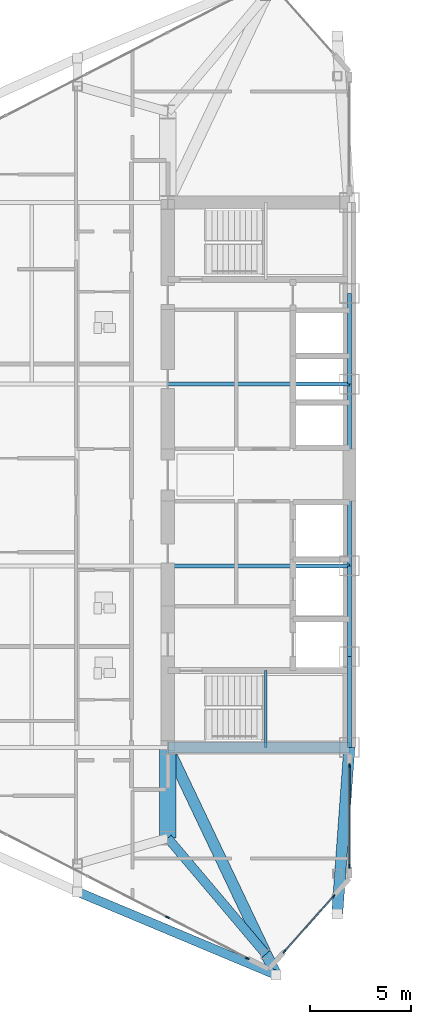
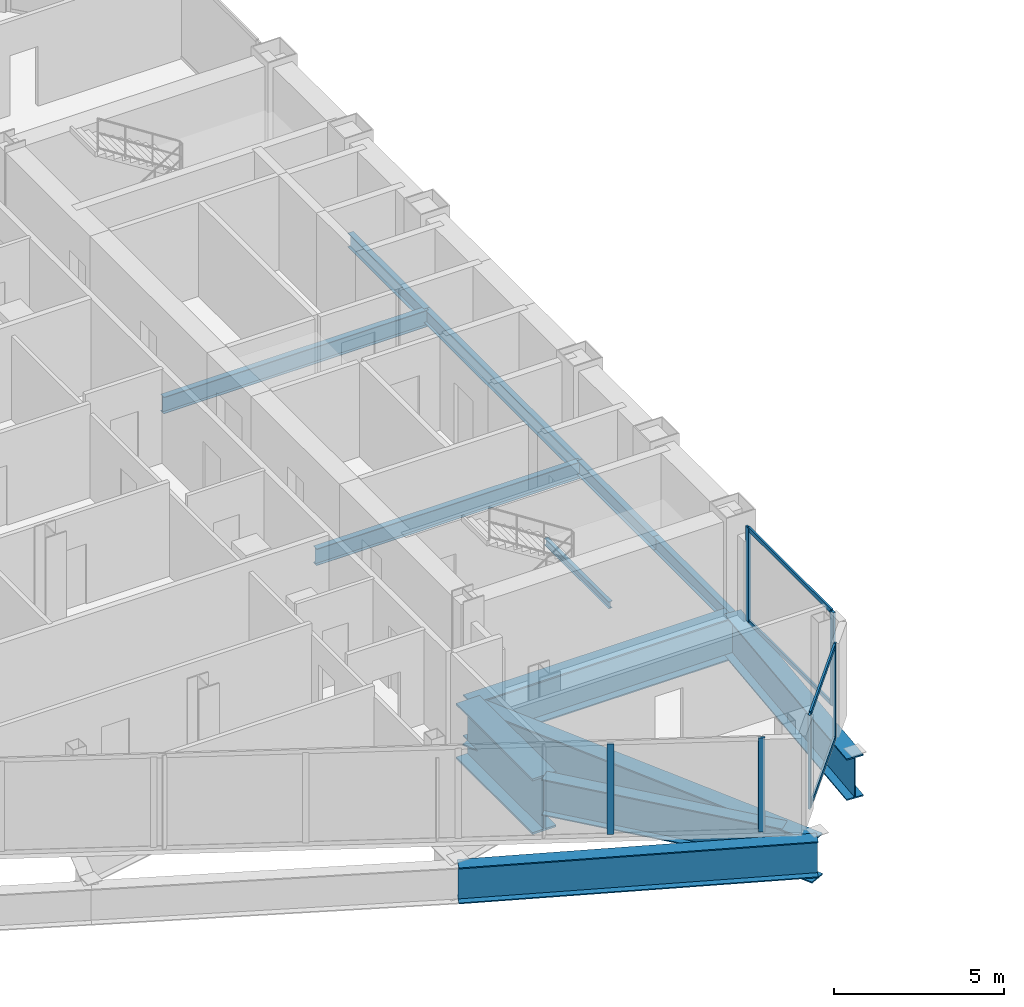
# One storey, part 6 of 28: 13 beams, 10 members, 3 elements without a shape of their own.
"""IFC4 building model written with IfcOpenShell, lengths in metres."""

from ifc_helpers import new_model, si_unit, direction, frame, origin, origin_2d, place, context, subcontext, project, spatial, rectangle, i_section, extrude, source, transform, mapped, material, layer, layer_set, material_profile, profile_set, type_object, type_shapes, element, aggregate, save


model = new_model("IFC4")

# Units and contexts
model_context = context("Model", 3, precision=1e-05, world=origin(), true_north=direction((0.0, 1.0)))
body_context = subcontext(model_context, "Body", "Model", "MODEL_VIEW")
ifc_project = project(units=[si_unit("LENGTHUNIT", "METRE"), si_unit("AREAUNIT", "SQUARE_METRE"), si_unit("VOLUMEUNIT", "CUBIC_METRE"), si_unit("PLANEANGLEUNIT", "RADIAN"), si_unit("MASSUNIT", "GRAM", prefix="KILO")], contexts=[model_context])

# Site, building, storey
site_placement = place(None, origin())
site = spatial("IfcSite", under=ifc_project, at=site_placement, CompositionType="ELEMENT")
building_placement = place(site_placement, origin())
building = spatial("IfcBuilding", under=site, at=building_placement, Name="Seokmaru Belvedere", CompositionType="ELEMENT")
storey_placement = place(building_placement, frame((0.0, 0.0, 110.39990234375)))
storey = spatial("IfcBuildingStorey", under=building, at=storey_placement, Name="L29", CompositionType="ELEMENT", Elevation=110.39990234375)

# Beams
ifc_material_1 = material(Name="Steel SM355 (355 MPa)", Category="steel")
ifc_material_profile_1 = material_profile(ifc_material_1, i_section(OverallWidth=0.199951171875, OverallDepth=0.5, WebThickness=0.010009765625, FlangeThickness=0.01611328125, at=origin_2d()), Name="H-500x200x10x16")
ifc_profile_set_1 = profile_set([ifc_material_profile_1], Name="Steel SM355 (355 MPa)")
beam_type_1 = type_object("IfcBeamType", Name="Perimeter Spandrel Beam H-500", PredefinedType="SPANDREL", material=ifc_profile_set_1)
shared_shape_1 = source(origin(), body_context, "Body", "SweptSolid", [
    extrude(i_section(OverallWidth=0.199951171875, OverallDepth=0.5, WebThickness=0.010009765625, FlangeThickness=0.01611328125, at=origin_2d()), origin(), (0.0, 0.0, 1.0), 4.5),
])
for number, where, z_axis, x_axis, name in (
    (1, (-27.5, -13.5, -0.469970703125), (0.0, 1.0, 0.0), (-1.0, 0.0, 0.0), "L29 W Portal Spine Spandrel 1"),
    (2, (-27.5, -9.0, -0.469970703125), (0.0, 1.0, 0.0), (-1.0, 0.0, 0.0), "L29 W Portal Spine Spandrel 2"),
    (3, (-27.5, 4.5, -0.469970703125), (0.0, 1.0, 0.0), (-1.0, 0.0, 0.0), "L29 W Portal Spine Spandrel 4"),
):
    element("IfcBeam", number, at=place(storey_placement, frame(where, z_axis=z_axis, x_axis=x_axis)), inside=storey, type_object=beam_type_1, Name=name, PredefinedType="SPANDREL", context=body_context, shape_type="MappedRepresentation", body=[
        mapped(shared_shape_1, transform((0.0, 0.0, 0.0), scale=1.0)),
    ])
shared_shape_2 = source(origin(), body_context, "Body", "SweptSolid", [
    extrude(i_section(OverallWidth=0.199951171875, OverallDepth=0.5, WebThickness=0.010009765625, FlangeThickness=0.01611328125, at=origin_2d()), origin(), (0.0, 0.0, 1.0), 9.0),
])
type_shapes(beam_type_1, [shared_shape_1, shared_shape_2])
beam_1_placement = place(storey_placement, frame((-27.5, -4.5, -0.469970703125), z_axis=(0.0, 1.0, 0.0), x_axis=(-1.0, 0.0, 0.0)))
element("IfcBeam", 4, at=beam_1_placement, inside=storey, type_object=beam_type_1, Name="L29 W Portal Spine Spandrel 3", PredefinedType="SPANDREL", context=body_context, shape_type="MappedRepresentation", body=[
    mapped(shared_shape_2, transform((0.0, 0.0, 0.0), scale=1.0)),
])
ifc_material_2 = material(Name="Steel HSA650 (650 MPa)", Category="steel")
ifc_material_profile_2 = material_profile(ifc_material_2, i_section(OverallWidth=0.800048828125, OverallDepth=2.0, WebThickness=0.0400390625, FlangeThickness=0.070068359375, at=origin_2d()), Name="BH-2000x800x40x70")
ifc_profile_set_2 = profile_set([ifc_material_profile_2], Name="Steel HSA650 (650 MPa)")
beam_type_2 = type_object("IfcBeamType", Name="Sky-Gate Transfer Truss Chord Girder BH-2000", PredefinedType="BEAM", material=ifc_profile_set_2)
shared_shape_3 = source(origin(), body_context, "Body", "SweptSolid", [
    extrude(i_section(OverallWidth=0.800048828125, OverallDepth=2.0, WebThickness=0.0400390625, FlangeThickness=0.070068359375, at=origin_2d()), origin(), (0.0, 0.0, 1.0), 4.5),
])
type_shapes(beam_type_2, [shared_shape_3])
beam_2_placement = place(storey_placement, frame((-36.5, -18.0, -1.219970703125), z_axis=(0.0, 1.0, 0.0), x_axis=(-1.0, 0.0, 0.0)))
element("IfcBeam", 5, at=beam_2_placement, inside=storey, type_object=beam_type_2, Name="L29 W Core Shoulder Girder S", PredefinedType="BEAM", context=body_context, shape_type="MappedRepresentation", body=[
    mapped(shared_shape_3, transform((0.0, 0.0, 0.0), scale=1.0)),
])
ifc_material_profile_3 = material_profile(ifc_material_2, i_section(OverallWidth=0.550048828125, OverallDepth=1.5, WebThickness=0.028076171875, FlangeThickness=0.044921875, at=origin_2d()), Name="BH-1500x550x28x45")
ifc_profile_set_3 = profile_set([ifc_material_profile_3], Name="Steel HSA650 (650 MPa)")
beam_type_3 = type_object("IfcBeamType", Name="Setback Transfer Girder BH-1500", PredefinedType="BEAM", material=ifc_profile_set_3)
shared_shape_4 = source(origin(), body_context, "Body", "SweptSolid", [
    extrude(i_section(OverallWidth=0.550048828125, OverallDepth=1.5, WebThickness=0.028076171875, FlangeThickness=0.044921875, at=origin_2d()), origin(), (0.0, 0.0, 1.0), 9.0),
])
beam_3_placement = place(storey_placement, frame((-36.5, -13.5, -0.969970703125), z_axis=(1.0, 0.0, 0.0), x_axis=(0.0, 1.0, 0.0)))
element("IfcBeam", 6, at=beam_3_placement, inside=storey, type_object=beam_type_3, Name="L29 W Core Transfer Header 1", PredefinedType="BEAM", context=body_context, shape_type="MappedRepresentation", body=[
    mapped(shared_shape_4, transform((0.0, 0.0, 0.0), scale=1.0)),
])
ifc_material_profile_4 = material_profile(ifc_material_1, i_section(OverallWidth=0.199951171875, OverallDepth=0.60009765625, WebThickness=0.010986328125, FlangeThickness=0.01708984375, at=origin_2d()), Name="H-600x200x11x17")
ifc_profile_set_4 = profile_set([ifc_material_profile_4], Name="Steel SM355 (355 MPa)")
beam_type_4 = type_object("IfcBeamType", Name="Primary Floor Girder H-600", PredefinedType="BEAM", material=ifc_profile_set_4)
shared_shape_5 = source(origin(), body_context, "Body", "SweptSolid", [
    extrude(i_section(OverallWidth=0.199951171875, OverallDepth=0.60009765625, WebThickness=0.010986328125, FlangeThickness=0.01708984375, at=origin_2d()), origin(), (0.0, 0.0, 1.0), 9.0),
])
type_shapes(beam_type_4, [shared_shape_5])
for number, where, z_axis, x_axis, name in (
    (7, (-36.5, -4.5, -0.52001953125), (1.0, 0.0, 0.0), (0.0, 1.0, 0.0), "L29 W Core Tie Girder 2"),
    (8, (-36.5, 4.5, -0.52001953125), (1.0, 0.0, 0.0), (0.0, 1.0, 0.0), "L29 W Core Tie Girder 3"),
):
    element("IfcBeam", number, at=place(storey_placement, frame(where, z_axis=z_axis, x_axis=x_axis)), inside=storey, type_object=beam_type_4, Name=name, PredefinedType="BEAM", context=body_context, shape_type="MappedRepresentation", body=[
        mapped(shared_shape_5, transform((0.0, 0.0, 0.0), scale=1.0)),
    ])
ifc_material_profile_5 = material_profile(ifc_material_2, i_section(OverallWidth=0.449951171875, OverallDepth=1.300048828125, WebThickness=0.02197265625, FlangeThickness=0.0380859375, at=origin_2d()), Name="BH-1300x450x22x38")
ifc_profile_set_5 = profile_set([ifc_material_profile_5], Name="Steel HSA650 (650 MPa)")
beam_type_5 = type_object("IfcBeamType", Name="Observatory Long-Span Roof Girder BH-1300", PredefinedType="BEAM", material=ifc_profile_set_5)
shared_shape_6 = source(origin(), body_context, "Body", "SweptSolid", [
    extrude(i_section(OverallWidth=0.449951171875, OverallDepth=1.300048828125, WebThickness=0.02197265625, FlangeThickness=0.0380859375, at=origin_2d()), origin(), (0.0, 0.0, 1.0), 10.66943359375),
])
beam_4_placement = place(storey_placement, frame((-31.13134765625, -24.782958984375, -0.869873046875), z_axis=(-0.922375393128, 0.386294750355, 0.0), x_axis=(-0.386294750355, -0.922375393128, 0.0)))
element("IfcBeam", 9, at=beam_4_placement, inside=storey, type_object=beam_type_5, Name="L29 W Faceted Flank Spandrel S-1", PredefinedType="BEAM", context=body_context, shape_type="MappedRepresentation", body=[
    mapped(shared_shape_6, transform((0.0, 0.0, 0.0), scale=1.0)),
])
shared_shape_7 = source(origin(), body_context, "Body", "SweptSolid", [
    extrude(i_section(OverallWidth=0.550048828125, OverallDepth=1.5, WebThickness=0.028076171875, FlangeThickness=0.044921875, at=origin_2d()), origin(), (0.0, 0.0, 1.0), 8.273193359375),
])
beam_5_placement = place(storey_placement, frame((-28.10009765625, -21.75146484375, -0.969970703125), z_axis=(0.072534628348, 0.99736589459, 0.0), x_axis=(-0.99736589459, 0.072534628348, 0.0)))
element("IfcBeam", 10, at=beam_5_placement, inside=storey, type_object=beam_type_3, Name="L29 W Setback Transfer Girder 1", PredefinedType="BEAM", context=body_context, shape_type="MappedRepresentation", body=[
    mapped(shared_shape_7, transform((0.0, 0.0, 0.0), scale=1.0)),
])
shared_shape_8 = source(origin(), body_context, "Body", "SweptSolid", [
    extrude(i_section(OverallWidth=0.550048828125, OverallDepth=1.5, WebThickness=0.028076171875, FlangeThickness=0.044921875, at=origin_2d()), origin(), (0.0, 0.0, 1.0), 12.4951171875),
])
type_shapes(beam_type_3, [shared_shape_4, shared_shape_7, shared_shape_8])
beam_6_placement = place(storey_placement, frame((-31.13134765625, -24.782958984375, -0.969970703125), z_axis=(-0.42966052169, 0.90299049613, 0.0), x_axis=(-0.90299049613, -0.42966052169, 0.0)))
element("IfcBeam", 11, at=beam_6_placement, inside=storey, type_object=beam_type_3, Name="L29 W Setback Transfer Girder 6", PredefinedType="BEAM", context=body_context, shape_type="MappedRepresentation", body=[
    mapped(shared_shape_8, transform((0.0, 0.0, 0.0), scale=1.0)),
])
shared_shape_9 = source(origin(), body_context, "Body", "SweptSolid", [
    extrude(i_section(OverallWidth=0.449951171875, OverallDepth=1.300048828125, WebThickness=0.02197265625, FlangeThickness=0.0380859375, at=origin_2d()), origin(), (0.0, 0.0, 1.0), 7.531982421875),
])
type_shapes(beam_type_5, [shared_shape_6, shared_shape_9])
beam_7_placement = place(storey_placement, frame((-31.6396484375, -23.75390625, -0.869873046875), z_axis=(-0.645296861472, 0.763931908337, 0.0), x_axis=(-0.763931908337, -0.645296861472, 0.0)))
element("IfcBeam", 12, at=beam_7_placement, inside=storey, type_object=beam_type_5, Name="L29 W Shoulder Sanity Tie Girder 6", PredefinedType="BEAM", context=body_context, shape_type="MappedRepresentation", body=[
    mapped(shared_shape_9, transform((0.0, 0.0, 0.0), scale=1.0)),
])

# Curtain wall, members
ifc_material_3 = material(Name="Bronze Triple Insulating Glass", Category="glass")
ifc_layer = layer(ifc_material_3, 0.195068359375)
ifc_layer_set = layer_set([ifc_layer], Name="Bronze Triple Insulating Glass")
curtain_wall_type = type_object("IfcCurtainWallType", Name="Sky-Lobby and Mid-Rise Curtain Wall System CW-4", PredefinedType="NOTDEFINED", material=ifc_layer_set)
curtain_wall_1_placement = place(storey_placement, origin())
curtain_wall_1 = element("IfcCurtainWall", 13, at=curtain_wall_1_placement, inside=storey, type_object=curtain_wall_type, Name="L29 Curtain Wall WSP_1", PredefinedType="NOTDEFINED")
ifc_material_4 = material(Name="Anodised Bronze Aluminium", Category="aluminium")
ifc_material_profile_6 = material_profile(ifc_material_4, rectangle(XDim=0.070068359375, YDim=0.195068359375, at=origin_2d()), Name="CW-M-70x195")
ifc_profile_set_6 = profile_set([ifc_material_profile_6], Name="Anodised Bronze Aluminium")
member_type_1 = type_object("IfcMemberType", Name="Bronze Unitised Mullion 70x195", PredefinedType="MULLION", material=ifc_profile_set_6)
shared_shape_10 = source(origin(), body_context, "Body", "SweptSolid", [
    extrude(rectangle(XDim=0.070068359375, YDim=0.195068359375, at=origin_2d()), origin(), (0.0, 0.0, 1.0), 3.380126953125),
])
member_1_placement = place(storey_placement, frame((-27.5, -19.39501953125, 0.0), z_axis=(0.0, 0.0, 1.0), x_axis=(-1.0, 0.0, 0.0)))
member_1 = element("IfcMember", 14, at=member_1_placement, type_object=member_type_1, Name="CW:L29:WSP_1 Mullion 1", PredefinedType="MULLION", context=body_context, shape_type="MappedRepresentation", body=[
    mapped(shared_shape_10, transform((0.0, 0.0, 0.0), scale=1.0)),
])
member_2_placement = place(storey_placement, frame((-27.5, -14.4150390625, 0.0), z_axis=(0.0, 0.0, 1.0), x_axis=(-1.0, 0.0, 0.0)))
member_2 = element("IfcMember", 15, at=member_2_placement, type_object=member_type_1, Name="CW:L29:WSP_1 Mullion 2", PredefinedType="MULLION", context=body_context, shape_type="MappedRepresentation", body=[
    mapped(shared_shape_10, transform((0.0, 0.0, 0.0), scale=1.0)),
])

# Curtain wall, member
curtain_wall_2_placement = place(storey_placement, origin())
curtain_wall_2 = element("IfcCurtainWall", 16, at=curtain_wall_2_placement, inside=storey, type_object=curtain_wall_type, Name="L29 Curtain Wall WF5", PredefinedType="NOTDEFINED")
member_3_placement = place(storey_placement, frame((-32.55419921875, -23.958984375, 0.0), z_axis=(0.0, 0.0, 1.0), x_axis=(0.456554528263, 0.889695432562, 0.0)))
member_3 = element("IfcMember", 17, at=member_3_placement, type_object=member_type_1, Name="CW:L29:WF5 Mullion 10", PredefinedType="MULLION", context=body_context, shape_type="MappedRepresentation", body=[
    mapped(shared_shape_10, transform((0.0, 0.0, 0.0), scale=1.0)),
])

# Curtain wall, members
curtain_wall_3_placement = place(storey_placement, origin())
curtain_wall_3 = element("IfcCurtainWall", 18, at=curtain_wall_3_placement, inside=storey, type_object=curtain_wall_type, Name="L29 Curtain Wall WF6", PredefinedType="NOTDEFINED")
member_4_placement = place(storey_placement, frame((-30.712646484375, -23.6142578125, 0.0), z_axis=(0.0, 0.0, 1.0), x_axis=(-0.747409774804, 0.664363325694, 0.0)))
member_4 = element("IfcMember", 19, at=member_4_placement, type_object=member_type_1, Name="CW:L29:WF6 Mullion 1", PredefinedType="MULLION", context=body_context, shape_type="MappedRepresentation", body=[
    mapped(shared_shape_10, transform((0.0, 0.0, 0.0), scale=1.0)),
])
member_5_placement = place(storey_placement, frame((-28.287353515625, -20.8857421875, 0.0), z_axis=(0.0, 0.0, 1.0), x_axis=(-0.747409774804, 0.664363325694, 0.0)))
member_5 = element("IfcMember", 20, at=member_5_placement, type_object=member_type_1, Name="CW:L29:WF6 Mullion 2", PredefinedType="MULLION", context=body_context, shape_type="MappedRepresentation", body=[
    mapped(shared_shape_10, transform((0.0, 0.0, 0.0), scale=1.0)),
])

# Member
ifc_material_profile_7 = material_profile(ifc_material_4, rectangle(XDim=0.06494140625, YDim=0.14990234375, at=origin_2d()), Name="CW-T-65x150")
ifc_profile_set_7 = profile_set([ifc_material_profile_7], Name="Anodised Bronze Aluminium")
member_type_2 = type_object("IfcMemberType", Name="Bronze Unitised Transom 65x150", PredefinedType="USERDEFINED", material=ifc_profile_set_7)
shared_shape_11 = source(origin(), body_context, "Body", "SweptSolid", [
    extrude(rectangle(XDim=0.06494140625, YDim=0.14990234375, at=origin_2d()), origin(), (0.0, 0.0, 1.0), 4.91015625),
])
member_6_placement = place(storey_placement, frame((-27.5, -19.360107421875, 0.03271484375), z_axis=(0.0, 1.0, 0.0), x_axis=(-1.0, 0.0, 0.0)))
member_6 = element("IfcMember", 21, at=member_6_placement, type_object=member_type_2, Name="CW:L29:WSP_1 Continuous Transom 1", ObjectType="TRANSOM", PredefinedType="USERDEFINED", context=body_context, shape_type="MappedRepresentation", body=[
    mapped(shared_shape_11, transform((0.0, 0.0, 0.0), scale=1.0)),
])

member_7_placement = place(storey_placement, frame((-27.5, -19.360107421875, 3.34765625), z_axis=(0.0, 1.0, 0.0), x_axis=(-1.0, 0.0, 0.0)))
member_7 = element("IfcMember", 22, at=member_7_placement, type_object=member_type_2, Name="CW:L29:WSP_1 Continuous Transom 2", ObjectType="TRANSOM", PredefinedType="USERDEFINED", context=body_context, shape_type="MappedRepresentation", body=[
    mapped(shared_shape_11, transform((0.0, 0.0, 0.0), scale=1.0)),
])

aggregate(curtain_wall_1, [member_1, member_2, member_6, member_7])

shared_shape_12 = source(origin(), body_context, "Body", "SweptSolid", [
    extrude(rectangle(XDim=0.06494140625, YDim=0.14990234375, at=origin_2d()), origin(), (0.0, 0.0, 1.0), 3.580810546875),
])
type_shapes(member_type_2, [shared_shape_11, shared_shape_12])
member_8_placement = place(storey_placement, frame((-30.689453125, -23.588134765625, 0.03271484375), z_axis=(0.66436383883, 0.747409318684, 0.0), x_axis=(-0.747409318684, 0.66436383883, 0.0)))
member_8 = element("IfcMember", 23, at=member_8_placement, type_object=member_type_2, Name="CW:L29:WF6 Continuous Transom 1", ObjectType="TRANSOM", PredefinedType="USERDEFINED", context=body_context, shape_type="MappedRepresentation", body=[
    mapped(shared_shape_12, transform((0.0, 0.0, 0.0), scale=1.0)),
])

member_9_placement = place(storey_placement, frame((-30.689453125, -23.588134765625, 3.34765625), z_axis=(0.66436383883, 0.747409318684, 0.0), x_axis=(-0.747409318684, 0.66436383883, 0.0)))
member_9 = element("IfcMember", 24, at=member_9_placement, type_object=member_type_2, Name="CW:L29:WF6 Continuous Transom 2", ObjectType="TRANSOM", PredefinedType="USERDEFINED", context=body_context, shape_type="MappedRepresentation", body=[
    mapped(shared_shape_12, transform((0.0, 0.0, 0.0), scale=1.0)),
])

aggregate(curtain_wall_3, [member_4, member_5, member_8, member_9])

shared_shape_13 = source(origin(), body_context, "Body", "SweptSolid", [
    extrude(rectangle(XDim=0.070068359375, YDim=0.195068359375, at=origin_2d()), origin(), (0.0, 0.0, 1.0), 3.25),
])
type_shapes(member_type_1, [shared_shape_10, shared_shape_13])
member_10_placement = place(storey_placement, frame((-36.51806640625, -21.925048828125, 0.065185546875), z_axis=(0.0, 0.0, 1.0), x_axis=(0.456554528263, 0.889695432562, 0.0)))
member_10 = element("IfcMember", 25, at=member_10_placement, type_object=member_type_1, Name="CW:L29:WF5 Mullion 9", PredefinedType="MULLION", context=body_context, shape_type="MappedRepresentation", body=[
    mapped(shared_shape_13, transform((0.0, 0.0, 0.0), scale=1.0)),
])

aggregate(curtain_wall_2, [member_10, member_3])

# Beam
ifc_material_profile_8 = material_profile(ifc_material_1, i_section(OverallWidth=0.125, OverallDepth=0.25, WebThickness=0.006103515625, FlangeThickness=0.009033203125, at=origin_2d()), Name="H-250x125x6x9")
ifc_profile_set_8 = profile_set([ifc_material_profile_8], Name="Steel SM355 (355 MPa)")
beam_type_6 = type_object("IfcBeamType", Name="Stair Mid-Landing Support Beam H-250", PredefinedType="JOIST", material=ifc_profile_set_8)
shared_shape_14 = source(origin(), body_context, "Body", "SweptSolid", [
    extrude(i_section(OverallWidth=0.125, OverallDepth=0.25, WebThickness=0.006103515625, FlangeThickness=0.009033203125, at=origin_2d()), origin(), (0.0, 0.0, 1.0), 3.800048828125),
])
type_shapes(beam_type_6, [shared_shape_14])
beam_8_placement = place(storey_placement, frame((-31.64990234375, -13.5, 1.47509765625), z_axis=(0.0, 1.0, 0.0), x_axis=(-1.0, 0.0, 0.0)))
element("IfcBeam", 26, at=beam_8_placement, inside=storey, type_object=beam_type_6, Name="L29 Stair ST-W1 Mid-Landing Support Beam 1", PredefinedType="JOIST", context=body_context, shape_type="MappedRepresentation", body=[
    mapped(shared_shape_14, transform((0.0, 0.0, 0.0), scale=1.0)),
])

save(model, "model.ifc")
